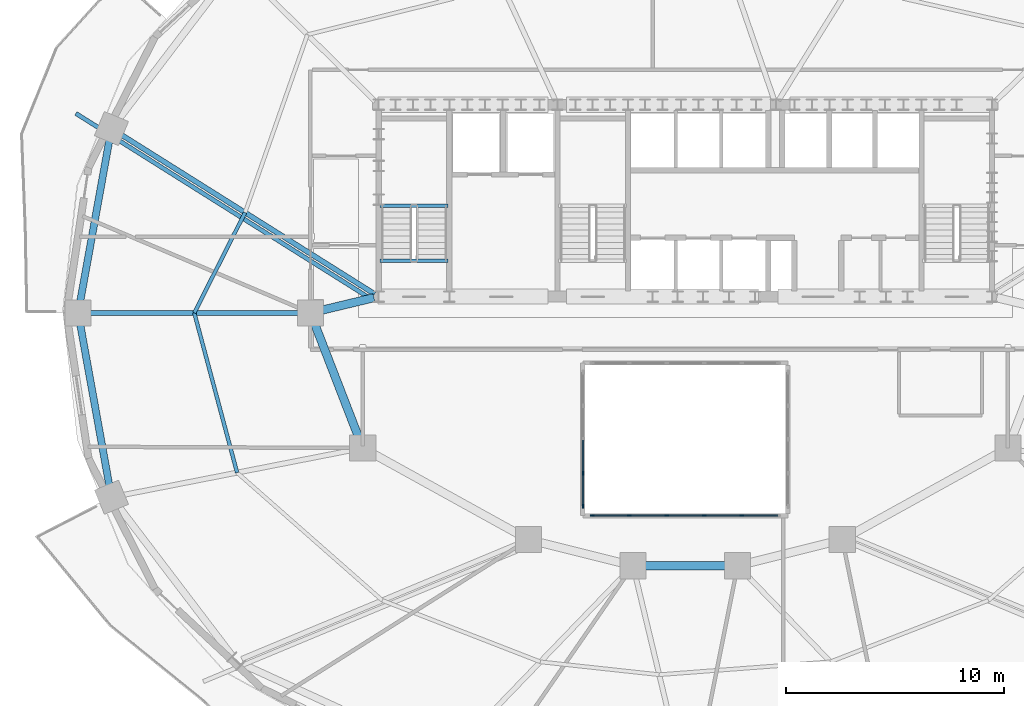
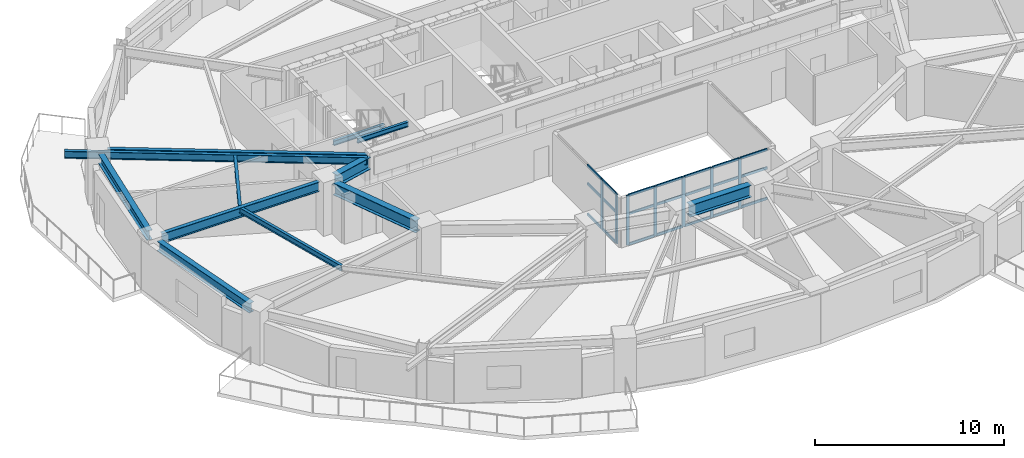
# One storey, part 2 of 12: 28 members, 12 beams, 2 elements without a shape of their own.
"""IFC4 building model written with IfcOpenShell, lengths in metres."""

from ifc_helpers import new_model, si_unit, direction, frame, origin, origin_2d, place, context, subcontext, project, spatial, rectangle, i_section, extrude, material, material_profile, profile_set, type_object, element, aggregate, save


model = new_model("IFC4")

# Units and contexts
model_context = context("Model", 3, precision=1e-05, world=origin(), true_north=direction((0.0, 1.0)))
body_context = subcontext(model_context, "Body", "Model", "MODEL_VIEW")
ifc_project = project(units=[si_unit("LENGTHUNIT", "METRE"), si_unit("AREAUNIT", "SQUARE_METRE"), si_unit("VOLUMEUNIT", "CUBIC_METRE"), si_unit("PLANEANGLEUNIT", "RADIAN"), si_unit("MASSUNIT", "GRAM", prefix="KILO")], contexts=[model_context])

# Site, building, storey
site_placement = place(None, origin())
site = spatial("IfcSite", under=ifc_project, at=site_placement, CompositionType="ELEMENT")
building_placement = place(site_placement, origin())
building = spatial("IfcBuilding", under=site, at=building_placement, Name="Haldorwick Loom Tower", CompositionType="ELEMENT")
storey_placement = place(building_placement, frame((0.0, 0.0, 110.449951171875)))
storey = spatial("IfcBuildingStorey", under=building, at=storey_placement, Name="L29", CompositionType="ELEMENT", Elevation=110.449951171875)

# Curtain wall, members
ifc_material_1 = material(Name="Thermally Broken Anodized Aluminium Curtain Wall Framing", Category="aluminium")
curtain_wall_type = type_object("IfcCurtainWallType", Name="ARC-CW-03", PredefinedType="NOTDEFINED", material=ifc_material_1)
curtain_wall_1_placement = place(storey_placement, origin())
curtain_wall_1 = element("IfcCurtainWall", 1, at=curtain_wall_1_placement, inside=storey, type_object=curtain_wall_type, Name="L29 Atrium Glazed Screen S", PredefinedType="NOTDEFINED")
ifc_material_profile_1 = material_profile(ifc_material_1, rectangle(XDim=0.06591796875, YDim=0.18505859375, at=origin_2d()), Name="ALU_MUL_66X185", Category="aluminium")
ifc_profile_set_1 = profile_set([ifc_material_profile_1], Name="Thermally Broken Anodized Aluminium Curtain Wall Framing")
member_type_1 = type_object("IfcMemberType", Name="ARC-CWM-03", PredefinedType="MULLION", material=ifc_profile_set_1)
member_1_placement = place(storey_placement, frame((38.580078125, 16.699951171875, 0.0), z_axis=(0.0, 0.0, 1.0), x_axis=(0.0, -1.0, 0.0)))
member_1 = element("IfcMember", 2, at=member_1_placement, type_object=member_type_1, Name="CW-03 mullion 2", PredefinedType="MULLION", context=body_context, shape_type="SweptSolid", body=[
    extrude(rectangle(XDim=0.06591796875, YDim=0.18505859375, at=origin_2d()), origin(), (0.0, 0.0, 1.0), 3.2099609375),
])
member_2_placement = place(storey_placement, frame((36.860107421875, 16.699951171875, 0.0), z_axis=(0.0, 0.0, 1.0), x_axis=(0.0, -1.0, 0.0)))
member_2 = element("IfcMember", 3, at=member_2_placement, type_object=member_type_1, Name="CW-03 mullion 3", PredefinedType="MULLION", context=body_context, shape_type="SweptSolid", body=[
    extrude(rectangle(XDim=0.06591796875, YDim=0.18505859375, at=origin_2d()), origin(), (0.0, 0.0, 1.0), 3.2099609375),
])
member_3_placement = place(storey_placement, frame((35.139892578125, 16.699951171875, 0.0), z_axis=(0.0, 0.0, 1.0), x_axis=(0.0, -1.0, 0.0)))
member_3 = element("IfcMember", 4, at=member_3_placement, type_object=member_type_1, Name="CW-03 mullion 4", PredefinedType="MULLION", context=body_context, shape_type="SweptSolid", body=[
    extrude(rectangle(XDim=0.06591796875, YDim=0.18505859375, at=origin_2d()), origin(), (0.0, 0.0, 1.0), 3.2099609375),
])
member_4_placement = place(storey_placement, frame((33.419921875, 16.699951171875, 0.0), z_axis=(0.0, 0.0, 1.0), x_axis=(0.0, -1.0, 0.0)))
member_4 = element("IfcMember", 5, at=member_4_placement, type_object=member_type_1, Name="CW-03 mullion 5", PredefinedType="MULLION", context=body_context, shape_type="SweptSolid", body=[
    extrude(rectangle(XDim=0.06591796875, YDim=0.18505859375, at=origin_2d()), origin(), (0.0, 0.0, 1.0), 3.2099609375),
])
member_5_placement = place(storey_placement, frame((31.73291015625, 16.699951171875, 0.0), z_axis=(0.0, 0.0, 1.0), x_axis=(0.0, -1.0, 0.0)))
member_5 = element("IfcMember", 6, at=member_5_placement, type_object=member_type_1, Name="CW-03 mullion 6", PredefinedType="MULLION", context=body_context, shape_type="SweptSolid", body=[
    extrude(rectangle(XDim=0.06591796875, YDim=0.18505859375, at=origin_2d()), origin(), (0.0, 0.0, 1.0), 3.2099609375),
])

curtain_wall_2_placement = place(storey_placement, origin())
curtain_wall_2 = element("IfcCurtainWall", 7, at=curtain_wall_2_placement, inside=storey, type_object=curtain_wall_type, Name="L29 Atrium Glazed Screen W", PredefinedType="NOTDEFINED")
member_6_placement = place(storey_placement, frame((31.300048828125, 17.133056640625, 0.0), z_axis=(0.0, 0.0, 1.0), x_axis=(-1.0, 0.0, 0.0)))
member_6 = element("IfcMember", 8, at=member_6_placement, type_object=member_type_1, Name="CW-03 mullion 1", PredefinedType="MULLION", context=body_context, shape_type="SweptSolid", body=[
    extrude(rectangle(XDim=0.06591796875, YDim=0.18505859375, at=origin_2d()), origin(), (0.0, 0.0, 1.0), 3.2099609375),
])
member_7_placement = place(storey_placement, frame((31.300048828125, 18.64990234375, 0.0), z_axis=(0.0, 0.0, 1.0), x_axis=(-1.0, 0.0, 0.0)))
member_7 = element("IfcMember", 9, at=member_7_placement, type_object=member_type_1, Name="CW-03 mullion 2", PredefinedType="MULLION", context=body_context, shape_type="SweptSolid", body=[
    extrude(rectangle(XDim=0.06591796875, YDim=0.18505859375, at=origin_2d()), origin(), (0.0, 0.0, 1.0), 3.2099609375),
])

# Member
ifc_material_profile_2 = material_profile(ifc_material_1, rectangle(XDim=0.06591796875, YDim=0.1650390625, at=origin_2d()), Name="ALU_TRN_66X165", Category="aluminium")
ifc_profile_set_2 = profile_set([ifc_material_profile_2], Name="Thermally Broken Anodized Aluminium Curtain Wall Framing")
member_type_2 = type_object("IfcMemberType", Name="ARC-CWT-03", PredefinedType="USERDEFINED", material=ifc_profile_set_2)
member_8_placement = place(storey_placement, frame((40.23388671875, 16.699951171875, 0.032958984375), z_axis=(-1.0, 0.0, 0.0), x_axis=(0.0, -1.0, 0.0)))
member_8 = element("IfcMember", 10, at=member_8_placement, type_object=member_type_2, Name="CW-03 transom 1.1", ObjectType="TRANSOM", PredefinedType="USERDEFINED", context=body_context, shape_type="SweptSolid", body=[
    extrude(rectangle(XDim=0.06591796875, YDim=0.1650390625, at=origin_2d()), origin(), (0.0, 0.0, 1.0), 1.620849609375),
])

member_9_placement = place(storey_placement, frame((40.23388671875, 16.699951171875, 2.0), z_axis=(-1.0, 0.0, 0.0), x_axis=(0.0, -1.0, 0.0)))
member_9 = element("IfcMember", 11, at=member_9_placement, type_object=member_type_2, Name="CW-03 transom 1.2", ObjectType="TRANSOM", PredefinedType="USERDEFINED", context=body_context, shape_type="SweptSolid", body=[
    extrude(rectangle(XDim=0.06591796875, YDim=0.1650390625, at=origin_2d()), origin(), (0.0, 0.0, 1.0), 1.620849609375),
])

member_10_placement = place(storey_placement, frame((40.23388671875, 16.699951171875, 3.177001953125), z_axis=(-1.0, 0.0, 0.0), x_axis=(0.0, -1.0, 0.0)))
member_10 = element("IfcMember", 12, at=member_10_placement, type_object=member_type_2, Name="CW-03 transom 1.3", ObjectType="TRANSOM", PredefinedType="USERDEFINED", context=body_context, shape_type="SweptSolid", body=[
    extrude(rectangle(XDim=0.06591796875, YDim=0.1650390625, at=origin_2d()), origin(), (0.0, 0.0, 1.0), 1.620849609375),
])

member_11_placement = place(storey_placement, frame((38.547119140625, 16.699951171875, 0.032958984375), z_axis=(-1.0, 0.0, 0.0), x_axis=(0.0, -1.0, 0.0)))
member_11 = element("IfcMember", 13, at=member_11_placement, type_object=member_type_2, Name="CW-03 transom 2.1", ObjectType="TRANSOM", PredefinedType="USERDEFINED", context=body_context, shape_type="SweptSolid", body=[
    extrude(rectangle(XDim=0.06591796875, YDim=0.1650390625, at=origin_2d()), origin(), (0.0, 0.0, 1.0), 1.654052734375),
])

member_12_placement = place(storey_placement, frame((38.547119140625, 16.699951171875, 2.0), z_axis=(-1.0, 0.0, 0.0), x_axis=(0.0, -1.0, 0.0)))
member_12 = element("IfcMember", 14, at=member_12_placement, type_object=member_type_2, Name="CW-03 transom 2.2", ObjectType="TRANSOM", PredefinedType="USERDEFINED", context=body_context, shape_type="SweptSolid", body=[
    extrude(rectangle(XDim=0.06591796875, YDim=0.1650390625, at=origin_2d()), origin(), (0.0, 0.0, 1.0), 1.654052734375),
])

member_13_placement = place(storey_placement, frame((38.547119140625, 16.699951171875, 3.177001953125), z_axis=(-1.0, 0.0, 0.0), x_axis=(0.0, -1.0, 0.0)))
member_13 = element("IfcMember", 15, at=member_13_placement, type_object=member_type_2, Name="CW-03 transom 2.3", ObjectType="TRANSOM", PredefinedType="USERDEFINED", context=body_context, shape_type="SweptSolid", body=[
    extrude(rectangle(XDim=0.06591796875, YDim=0.1650390625, at=origin_2d()), origin(), (0.0, 0.0, 1.0), 1.654052734375),
])

member_14_placement = place(storey_placement, frame((36.826904296875, 16.699951171875, 0.032958984375), z_axis=(-1.0, 0.0, 0.0), x_axis=(0.0, -1.0, 0.0)))
member_14 = element("IfcMember", 16, at=member_14_placement, type_object=member_type_2, Name="CW-03 transom 3.1", ObjectType="TRANSOM", PredefinedType="USERDEFINED", context=body_context, shape_type="SweptSolid", body=[
    extrude(rectangle(XDim=0.06591796875, YDim=0.1650390625, at=origin_2d()), origin(), (0.0, 0.0, 1.0), 1.65380859375),
])

member_15_placement = place(storey_placement, frame((36.826904296875, 16.699951171875, 2.0), z_axis=(-1.0, 0.0, 0.0), x_axis=(0.0, -1.0, 0.0)))
member_15 = element("IfcMember", 17, at=member_15_placement, type_object=member_type_2, Name="CW-03 transom 3.2", ObjectType="TRANSOM", PredefinedType="USERDEFINED", context=body_context, shape_type="SweptSolid", body=[
    extrude(rectangle(XDim=0.06591796875, YDim=0.1650390625, at=origin_2d()), origin(), (0.0, 0.0, 1.0), 1.65380859375),
])

member_16_placement = place(storey_placement, frame((36.826904296875, 16.699951171875, 3.177001953125), z_axis=(-1.0, 0.0, 0.0), x_axis=(0.0, -1.0, 0.0)))
member_16 = element("IfcMember", 18, at=member_16_placement, type_object=member_type_2, Name="CW-03 transom 3.3", ObjectType="TRANSOM", PredefinedType="USERDEFINED", context=body_context, shape_type="SweptSolid", body=[
    extrude(rectangle(XDim=0.06591796875, YDim=0.1650390625, at=origin_2d()), origin(), (0.0, 0.0, 1.0), 1.65380859375),
])

member_17_placement = place(storey_placement, frame((35.10693359375, 16.699951171875, 0.032958984375), z_axis=(-1.0, 0.0, 0.0), x_axis=(0.0, -1.0, 0.0)))
member_17 = element("IfcMember", 19, at=member_17_placement, type_object=member_type_2, Name="CW-03 transom 4.1", ObjectType="TRANSOM", PredefinedType="USERDEFINED", context=body_context, shape_type="SweptSolid", body=[
    extrude(rectangle(XDim=0.06591796875, YDim=0.1650390625, at=origin_2d()), origin(), (0.0, 0.0, 1.0), 1.654052734375),
])

member_18_placement = place(storey_placement, frame((35.10693359375, 16.699951171875, 2.0), z_axis=(-1.0, 0.0, 0.0), x_axis=(0.0, -1.0, 0.0)))
member_18 = element("IfcMember", 20, at=member_18_placement, type_object=member_type_2, Name="CW-03 transom 4.2", ObjectType="TRANSOM", PredefinedType="USERDEFINED", context=body_context, shape_type="SweptSolid", body=[
    extrude(rectangle(XDim=0.06591796875, YDim=0.1650390625, at=origin_2d()), origin(), (0.0, 0.0, 1.0), 1.654052734375),
])

member_19_placement = place(storey_placement, frame((35.10693359375, 16.699951171875, 3.177001953125), z_axis=(-1.0, 0.0, 0.0), x_axis=(0.0, -1.0, 0.0)))
member_19 = element("IfcMember", 21, at=member_19_placement, type_object=member_type_2, Name="CW-03 transom 4.3", ObjectType="TRANSOM", PredefinedType="USERDEFINED", context=body_context, shape_type="SweptSolid", body=[
    extrude(rectangle(XDim=0.06591796875, YDim=0.1650390625, at=origin_2d()), origin(), (0.0, 0.0, 1.0), 1.654052734375),
])

member_20_placement = place(storey_placement, frame((33.386962890625, 16.699951171875, 0.032958984375), z_axis=(-1.0, 0.0, 0.0), x_axis=(0.0, -1.0, 0.0)))
member_20 = element("IfcMember", 22, at=member_20_placement, type_object=member_type_2, Name="CW-03 transom 5.1", ObjectType="TRANSOM", PredefinedType="USERDEFINED", context=body_context, shape_type="SweptSolid", body=[
    extrude(rectangle(XDim=0.06591796875, YDim=0.1650390625, at=origin_2d()), origin(), (0.0, 0.0, 1.0), 1.620849609375),
])

member_21_placement = place(storey_placement, frame((33.386962890625, 16.699951171875, 2.0), z_axis=(-1.0, 0.0, 0.0), x_axis=(0.0, -1.0, 0.0)))
member_21 = element("IfcMember", 23, at=member_21_placement, type_object=member_type_2, Name="CW-03 transom 5.2", ObjectType="TRANSOM", PredefinedType="USERDEFINED", context=body_context, shape_type="SweptSolid", body=[
    extrude(rectangle(XDim=0.06591796875, YDim=0.1650390625, at=origin_2d()), origin(), (0.0, 0.0, 1.0), 1.620849609375),
])

member_22_placement = place(storey_placement, frame((33.386962890625, 16.699951171875, 3.177001953125), z_axis=(-1.0, 0.0, 0.0), x_axis=(0.0, -1.0, 0.0)))
member_22 = element("IfcMember", 24, at=member_22_placement, type_object=member_type_2, Name="CW-03 transom 5.3", ObjectType="TRANSOM", PredefinedType="USERDEFINED", context=body_context, shape_type="SweptSolid", body=[
    extrude(rectangle(XDim=0.06591796875, YDim=0.1650390625, at=origin_2d()), origin(), (0.0, 0.0, 1.0), 1.620849609375),
])

aggregate(curtain_wall_1, [member_1, member_2, member_3, member_4, member_5, member_8, member_9, member_10, member_11, member_12, member_13, member_14, member_15, member_16, member_17, member_18, member_19, member_20, member_21, member_22])

member_23_placement = place(storey_placement, frame((31.300048828125, 17.166015625, 0.032958984375), z_axis=(0.0, 1.0, 0.0), x_axis=(-1.0, 0.0, 0.0)))
member_23 = element("IfcMember", 25, at=member_23_placement, type_object=member_type_2, Name="CW-03 transom 1.1", ObjectType="TRANSOM", PredefinedType="USERDEFINED", context=body_context, shape_type="SweptSolid", body=[
    extrude(rectangle(XDim=0.06591796875, YDim=0.1650390625, at=origin_2d()), origin(), (0.0, 0.0, 1.0), 1.450927734375),
])

member_24_placement = place(storey_placement, frame((31.300048828125, 17.166015625, 2.0), z_axis=(0.0, 1.0, 0.0), x_axis=(-1.0, 0.0, 0.0)))
member_24 = element("IfcMember", 26, at=member_24_placement, type_object=member_type_2, Name="CW-03 transom 1.2", ObjectType="TRANSOM", PredefinedType="USERDEFINED", context=body_context, shape_type="SweptSolid", body=[
    extrude(rectangle(XDim=0.06591796875, YDim=0.1650390625, at=origin_2d()), origin(), (0.0, 0.0, 1.0), 1.450927734375),
])

member_25_placement = place(storey_placement, frame((31.300048828125, 17.166015625, 3.177001953125), z_axis=(0.0, 1.0, 0.0), x_axis=(-1.0, 0.0, 0.0)))
member_25 = element("IfcMember", 27, at=member_25_placement, type_object=member_type_2, Name="CW-03 transom 1.3", ObjectType="TRANSOM", PredefinedType="USERDEFINED", context=body_context, shape_type="SweptSolid", body=[
    extrude(rectangle(XDim=0.06591796875, YDim=0.1650390625, at=origin_2d()), origin(), (0.0, 0.0, 1.0), 1.450927734375),
])

member_26_placement = place(storey_placement, frame((31.300048828125, 18.68310546875, 0.032958984375), z_axis=(0.0, 1.0, 0.0), x_axis=(-1.0, 0.0, 0.0)))
member_26 = element("IfcMember", 28, at=member_26_placement, type_object=member_type_2, Name="CW-03 transom 2.1", ObjectType="TRANSOM", PredefinedType="USERDEFINED", context=body_context, shape_type="SweptSolid", body=[
    extrude(rectangle(XDim=0.06591796875, YDim=0.1650390625, at=origin_2d()), origin(), (0.0, 0.0, 1.0), 1.48388671875),
])

member_27_placement = place(storey_placement, frame((31.300048828125, 18.68310546875, 2.0), z_axis=(0.0, 1.0, 0.0), x_axis=(-1.0, 0.0, 0.0)))
member_27 = element("IfcMember", 29, at=member_27_placement, type_object=member_type_2, Name="CW-03 transom 2.2", ObjectType="TRANSOM", PredefinedType="USERDEFINED", context=body_context, shape_type="SweptSolid", body=[
    extrude(rectangle(XDim=0.06591796875, YDim=0.1650390625, at=origin_2d()), origin(), (0.0, 0.0, 1.0), 1.48388671875),
])

member_28_placement = place(storey_placement, frame((31.300048828125, 18.68310546875, 3.177001953125), z_axis=(0.0, 1.0, 0.0), x_axis=(-1.0, 0.0, 0.0)))
member_28 = element("IfcMember", 30, at=member_28_placement, type_object=member_type_2, Name="CW-03 transom 2.3", ObjectType="TRANSOM", PredefinedType="USERDEFINED", context=body_context, shape_type="SweptSolid", body=[
    extrude(rectangle(XDim=0.06591796875, YDim=0.1650390625, at=origin_2d()), origin(), (0.0, 0.0, 1.0), 1.48388671875),
])

aggregate(curtain_wall_2, [member_6, member_7, member_23, member_24, member_25, member_26, member_27, member_28])

# Beams
ifc_material_2 = material(Name="Steel CSA G40.21 350W", Category="steel")
ifc_material_profile_3 = material_profile(ifc_material_2, i_section(OverallWidth=0.193115234375, OverallDepth=0.466064453125, WebThickness=0.011474609375, FlangeThickness=0.01904296875, at=origin_2d()), Name="W460X97", Category="steel")
ifc_profile_set_3 = profile_set([ifc_material_profile_3], Name="Steel CSA G40.21 350W")
beam_type_1 = type_object("IfcBeamType", Name="STR-BM-BAL460", PredefinedType="BEAM", material=ifc_profile_set_3)
beam_1_placement = place(storey_placement, frame((21.590576171875, 26.6328125, 2.97705078125), z_axis=(-0.846621037802, 0.532196221662, 0.0), x_axis=(-0.532196221662, -0.846621037802, 0.0)))
element("IfcBeam", 31, at=beam_1_placement, inside=storey, type_object=beam_type_1, Name="L29 Continuous Back-Spanned Balcony Beam 3", PredefinedType="BEAM", context=body_context, shape_type="SweptSolid", body=[
    extrude(i_section(OverallWidth=0.193115234375, OverallDepth=0.466064453125, WebThickness=0.011474609375, FlangeThickness=0.01904296875, at=origin_2d()), origin(), (0.0, 0.0, 1.0), 16.0068359375),
])
ifc_material_profile_4 = material_profile(ifc_material_2, i_section(OverallWidth=0.172119140625, OverallDepth=0.35791015625, WebThickness=0.0078125, FlangeThickness=0.01318359375, at=origin_2d()), Name="W360X57", Category="steel")
ifc_profile_set_4 = profile_set([ifc_material_profile_4], Name="Steel CSA G40.21 350W")
beam_type_2 = type_object("IfcBeamType", Name="STR-BM-J360", PredefinedType="JOIST", material=ifc_profile_set_4)
beam_2_placement = place(storey_placement, frame((15.7998046875, 30.603515625, 3.031005859375), z_axis=(-0.451373231558, -0.892335254169, 0.0), x_axis=(0.892335254169, -0.451373231558, 0.0)))
element("IfcBeam", 32, at=beam_2_placement, inside=storey, type_object=beam_type_2, Name="L29 Mid-Bay Secondary Joist 8", PredefinedType="JOIST", context=body_context, shape_type="SweptSolid", body=[
    extrude(i_section(OverallWidth=0.172119140625, OverallDepth=0.35791015625, WebThickness=0.0078125, FlangeThickness=0.01318359375, at=origin_2d()), origin(), (0.0, 0.0, 1.0), 5.158935546875),
])
beam_3_placement = place(storey_placement, frame((13.47119140625, 26.0, 3.031005859375), z_axis=(0.258810072536, -0.965928230436, 0.0), x_axis=(0.965928230436, 0.258810072536, 0.0)))
element("IfcBeam", 33, at=beam_3_placement, inside=storey, type_object=beam_type_2, Name="L29 Mid-Bay Secondary Joist 9", PredefinedType="JOIST", context=body_context, shape_type="SweptSolid", body=[
    extrude(i_section(OverallWidth=0.172119140625, OverallDepth=0.35791015625, WebThickness=0.0078125, FlangeThickness=0.01318359375, at=origin_2d()), origin(), (0.0, 0.0, 1.0), 7.587158203125),
])
ifc_material_profile_5 = material_profile(ifc_material_2, i_section(OverallWidth=0.324951171875, OverallDepth=0.615966796875, WebThickness=0.013916015625, FlangeThickness=0.021484375, at=origin_2d()), Name="W610X174", Category="steel")
ifc_profile_set_5 = profile_set([ifc_material_profile_5], Name="Steel CSA G40.21 350W")
beam_type_3 = type_object("IfcBeamType", Name="STR-BM-SP610", PredefinedType="SPANDREL", material=ifc_profile_set_5)
for number, where, z_axis, x_axis, name in (
    (34, (9.576904296875, 33.945556640625, 2.902099609375), (-0.177659490888, -0.984092020747, 0.0), (0.984092020747, -0.177659490888, 0.0), "L29 Perimeter Spandrel 8"),
    (35, (8.23486328125, 25.48828125, 2.902099609375), (0.177659490888, -0.984092020747, 0.0), (0.984092020747, 0.177659490888, 0.0), "L29 Perimeter Spandrel 9"),
):
    element("IfcBeam", number, at=place(storey_placement, frame(where, z_axis=z_axis, x_axis=x_axis)), inside=storey, type_object=beam_type_3, Name=name, PredefinedType="SPANDREL", context=body_context, shape_type="SweptSolid", body=[
        extrude(i_section(OverallWidth=0.324951171875, OverallDepth=0.615966796875, WebThickness=0.013916015625, FlangeThickness=0.021484375, at=origin_2d()), origin(), (0.0, 0.0, 1.0), 7.553955078125),
    ])
ifc_material_profile_6 = material_profile(ifc_material_2, i_section(OverallWidth=0.166015625, OverallDepth=0.31298828125, WebThickness=0.006591796875, FlangeThickness=0.01123046875, at=origin_2d()), Name="W310X45", Category="steel")
ifc_profile_set_6 = profile_set([ifc_material_profile_6], Name="Steel CSA G40.21 350W")
beam_type_4 = type_object("IfcBeamType", Name="STR-BM-STRM", PredefinedType="BEAM", material=ifc_profile_set_6)
for number, where, z_axis, x_axis, name in (
    (36, (21.989990234375, 28.39990234375, 3.053466796875), (1.0, 0.0, 0.0), (0.0, 1.0, 0.0), "L29 Stair ST-01 Landing Edge Trimmer"),
    (37, (21.989990234375, 30.919921875, 1.36865234375), (1.0, 0.0, 0.0), (0.0, 1.0, 0.0), "L29 Stair ST-01 Half-Landing Trimmer 1"),
):
    element("IfcBeam", number, at=place(storey_placement, frame(where, z_axis=z_axis, x_axis=x_axis)), inside=storey, type_object=beam_type_4, Name=name, PredefinedType="BEAM", context=body_context, shape_type="SweptSolid", body=[
        extrude(i_section(OverallWidth=0.166015625, OverallDepth=0.31298828125, WebThickness=0.006591796875, FlangeThickness=0.01123046875, at=origin_2d()), origin(), (0.0, 0.0, 1.0), 3.1201171875),
    ])
ifc_material_profile_7 = material_profile(ifc_material_2, i_section(OverallWidth=0.22998046875, OverallDepth=0.616943359375, WebThickness=0.01318359375, FlangeThickness=0.022216796875, at=origin_2d()), Name="W610X140", Category="steel")
ifc_profile_set_7 = profile_set([ifc_material_profile_7], Name="Steel CSA G40.21 350W")
beam_type_5 = type_object("IfcBeamType", Name="STR-BM-W610B", PredefinedType="BEAM", material=ifc_profile_set_7)
beam_4_placement = place(storey_placement, frame((21.739501953125, 26.86962890625, 2.901611328125), z_axis=(-0.846609551433, 0.532214493811, 0.0), x_axis=(-0.532214493811, -0.846609551433, 0.0)))
element("IfcBeam", 38, at=beam_4_placement, inside=storey, type_object=beam_type_5, Name="L29 Radial Floor Girder 8", PredefinedType="BEAM", context=body_context, shape_type="SweptSolid", body=[
    extrude(i_section(OverallWidth=0.22998046875, OverallDepth=0.616943359375, WebThickness=0.01318359375, FlangeThickness=0.022216796875, at=origin_2d()), origin(), (0.0, 0.0, 1.0), 13.737060546875),
])
beam_5_placement = place(storey_placement, frame((18.280029296875, 26.0, 2.901611328125), z_axis=(-1.0, 0.0, 0.0), x_axis=(0.0, -1.0, 0.0)))
element("IfcBeam", 39, at=beam_5_placement, inside=storey, type_object=beam_type_5, Name="L29 Radial Floor Girder 9", PredefinedType="BEAM", context=body_context, shape_type="SweptSolid", body=[
    extrude(i_section(OverallWidth=0.22998046875, OverallDepth=0.616943359375, WebThickness=0.01318359375, FlangeThickness=0.022216796875, at=origin_2d()), origin(), (0.0, 0.0, 1.0), 9.61767578125),
])
ifc_material_profile_8 = material_profile(ifc_material_2, i_section(OverallWidth=0.381103515625, OverallDepth=0.77294921875, WebThickness=0.0166015625, FlangeThickness=0.027587890625, at=origin_2d()), Name="W760X257", Category="steel")
ifc_profile_set_8 = profile_set([ifc_material_profile_8], Name="Steel CSA G40.21 350W")
beam_type_6 = type_object("IfcBeamType", Name="STR-BM-W760", PredefinedType="BEAM", material=ifc_profile_set_8)
beam_6_placement = place(storey_placement, frame((37.8798828125, 14.39990234375, 2.823486328125), z_axis=(-1.0, 0.0, 0.0), x_axis=(0.0, -1.0, 0.0)))
element("IfcBeam", 40, at=beam_6_placement, inside=storey, type_object=beam_type_6, Name="L29 Inner Ring Girder 5", PredefinedType="BEAM", context=body_context, shape_type="SweptSolid", body=[
    extrude(i_section(OverallWidth=0.381103515625, OverallDepth=0.77294921875, WebThickness=0.0166015625, FlangeThickness=0.027587890625, at=origin_2d()), origin(), (0.0, 0.0, 1.0), 3.759765625),
])
beam_7_placement = place(storey_placement, frame((21.01220703125, 20.284912109375, 2.823486328125), z_axis=(-0.360964792353, 0.93257944363, 0.0), x_axis=(-0.93257944363, -0.360964792353, 0.0)))
element("IfcBeam", 41, at=beam_7_placement, inside=storey, type_object=beam_type_6, Name="L29 Inner Ring Girder 8", PredefinedType="BEAM", context=body_context, shape_type="SweptSolid", body=[
    extrude(i_section(OverallWidth=0.381103515625, OverallDepth=0.77294921875, WebThickness=0.0166015625, FlangeThickness=0.027587890625, at=origin_2d()), origin(), (0.0, 0.0, 1.0), 5.6083984375),
])
beam_8_placement = place(storey_placement, frame((19.3056640625, 26.12109375, 2.823486328125), z_axis=(0.97247055837, 0.233025777764, 0.0), x_axis=(-0.233025777764, 0.97247055837, 0.0)))
element("IfcBeam", 42, at=beam_8_placement, inside=storey, type_object=beam_type_6, Name="L29 Inner Ring Girder 9", PredefinedType="BEAM", context=body_context, shape_type="SweptSolid", body=[
    extrude(i_section(OverallWidth=0.381103515625, OverallDepth=0.77294921875, WebThickness=0.0166015625, FlangeThickness=0.027587890625, at=origin_2d()), origin(), (0.0, 0.0, 1.0), 2.4736328125),
])

save(model, "model.ifc")
